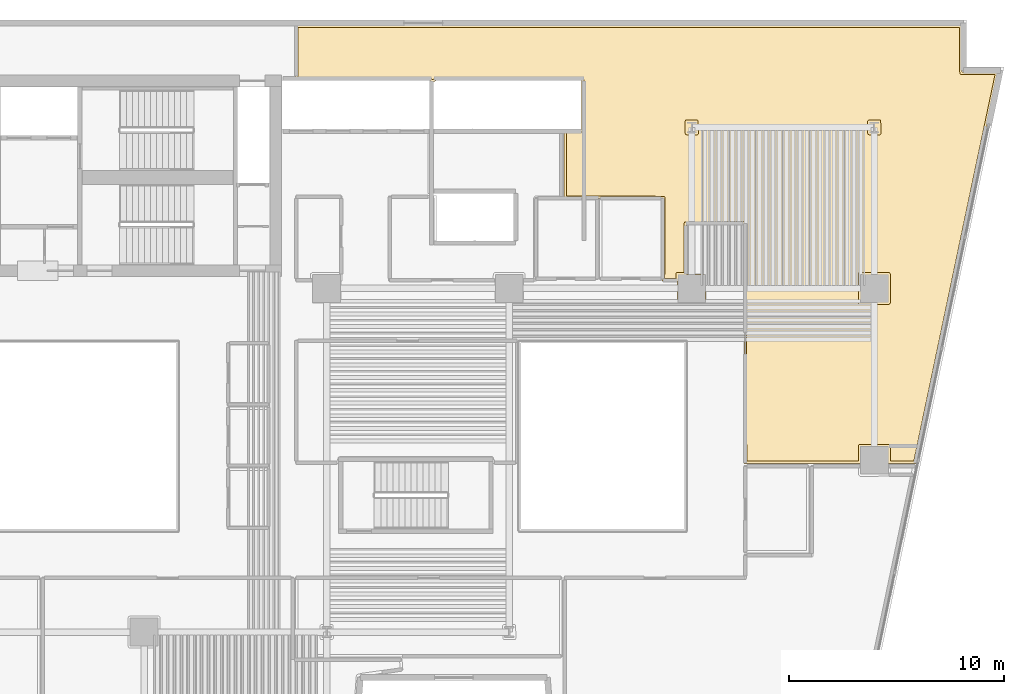
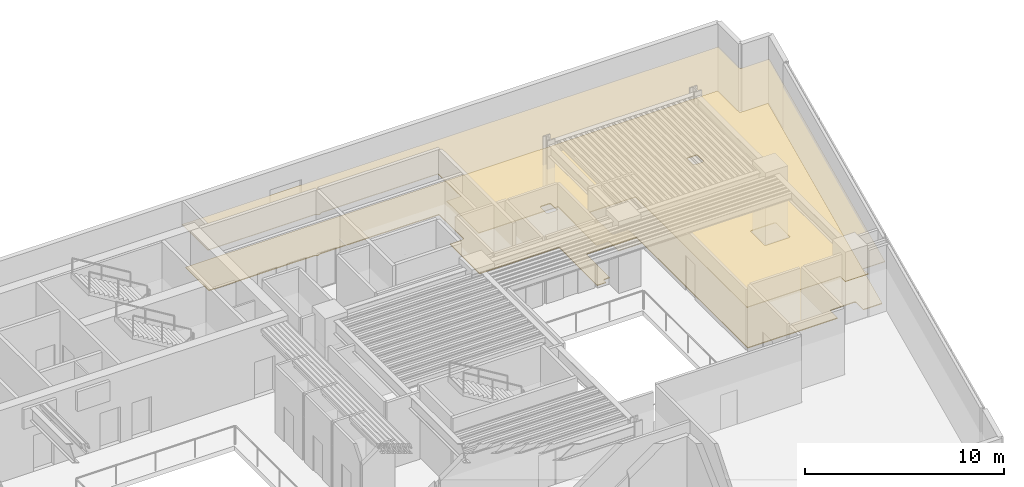
# One storey, part 12 of 12: 2 coverings.
"""IFC4 building model written with IfcOpenShell, lengths in metres."""

from ifc_helpers import new_model, si_unit, direction, frame, origin, place, context, subcontext, project, spatial, polyline, outline, extrude, material, layer, layer_set, type_object, element, save


model = new_model("IFC4")

# Units and contexts
model_context = context("Model", 3, precision=1e-05, world=origin(), true_north=direction((0.0, 1.0)))
body_context = subcontext(model_context, "Body", "Model", "MODEL_VIEW")
ifc_project = project(units=[si_unit("LENGTHUNIT", "METRE"), si_unit("AREAUNIT", "SQUARE_METRE"), si_unit("VOLUMEUNIT", "CUBIC_METRE"), si_unit("PLANEANGLEUNIT", "RADIAN"), si_unit("MASSUNIT", "GRAM", prefix="KILO")], contexts=[model_context])

# Site, building, storey
site_placement = place(None, origin())
site = spatial("IfcSite", under=ifc_project, at=site_placement, CompositionType="ELEMENT")
building_placement = place(site_placement, origin())
building = spatial("IfcBuilding", under=site, at=building_placement, Name="Caeloran Harvest Quay", CompositionType="ELEMENT")
storey_placement = place(building_placement, frame((0.0, 0.0, 97.39990234375)))
storey = spatial("IfcBuildingStorey", under=building, at=storey_placement, Name="L22", CompositionType="ELEMENT", Elevation=97.39990234375)

# Coverings
ifc_material_1 = material(Name="Perforated Mineral-Fibre Acoustic Ceiling Tile", Category="ceiling")
ifc_layer_1 = layer(ifc_material_1, 0.0400390625, Name="Perforated Mineral-Fibre Acoustic Ceiling Tile")
ifc_layer_set_1 = layer_set([ifc_layer_1], Name="Perforated Mineral-Fibre Acoustic Ceiling Tile")
covering_type_1 = type_object("IfcCoveringType", Name="COV-CEILING-ACOUSTIC", PredefinedType="CEILING", material=ifc_layer_set_1)
covering_1_placement = place(storey_placement, frame((0.0, 0.0, 2.60009765625)))
element("IfcCovering", 1, at=covering_1_placement, inside=storey, type_object=covering_type_1, Name="Regional Food Policy Boardroom 9 Acoustic Ceiling", PredefinedType="CEILING", context=body_context, shape_type="SweptSolid", body=[
    extrude(outline(polyline([(50.330078125, 22.840087890625), (44.93994140625, 22.840087890625), (44.93994140625, 33.989990234375), (42.260009765625, 33.989990234375), (42.260009765625, 31.669921875), (43.169921875, 31.669921875), (43.169921875, 30.330078125), (41.830078125, 30.330078125), (41.830078125, 31.340087890625), (41.119873046875, 31.340087890625), (41.139892578125, 35.18994140625), (36.5400390625, 35.18994140625), (36.5400390625, 38.409912109375), (37.369873046875, 38.409912109375), (37.359130859375, 40.68310546875), (30.61083984375, 40.68994140625), (30.43994140625, 40.5888671875), (30.26904296875, 40.68994140625), (24.0400390625, 40.68994140625), (24.0400390625, 43.280029296875), (55.080078125, 43.280029296875), (55.080078125, 41.080078125), (56.766845703125, 41.080078125), (52.93505859375, 22.840087890625), (51.669921875, 22.840087890625), (51.669921875, 22.330078125), (50.330078125, 22.330078125), (50.330078125, 22.840087890625)])), origin(), (0.0, 0.0, 1.0), 0.0400390625),
])
ifc_material_2 = material(Name="Calcium-Sulphate Raised Access Floor and Terrazzo Finish", Category="flooring")
ifc_layer_2 = layer(ifc_material_2, 0.050048828125, Name="Calcium-Sulphate Raised Access Floor and Terrazzo Finish")
ifc_layer_set_2 = layer_set([ifc_layer_2], Name="Calcium-Sulphate Raised Access Floor and Terrazzo Finish")
covering_type_2 = type_object("IfcCoveringType", Name="COV-FLOOR-RAISED", PredefinedType="FLOORING", material=ifc_layer_set_2)
covering_2_placement = place(storey_placement, origin())
element("IfcCovering", 2, at=covering_2_placement, inside=storey, type_object=covering_type_2, Name="Regional Food Policy Boardroom 9 Raised Finish Flooring", PredefinedType="FLOORING", context=body_context, shape_type="SweptSolid", body=[
    extrude(outline(polyline([(24.159912109375, 40.81005859375), (24.159912109375, 43.159912109375), (54.9599609375, 43.159912109375), (54.978271484375, 40.9892578125), (55.0400390625, 40.9599609375), (56.618896484375, 40.9599609375), (52.837646484375, 22.9599609375), (51.7451171875, 22.9599609375), (51.74462890625, 23.6728515625), (51.7158203125, 23.726806640625), (51.6650390625, 23.7451171875), (50.29736328125, 23.735595703125), (50.25537109375, 23.6728515625), (50.2548828125, 22.9599609375), (45.06005859375, 22.9599609375), (45.053955078125, 34.060546875), (44.97998046875, 34.110107421875), (42.175537109375, 34.096435546875), (42.139892578125, 34.030029296875), (42.139892578125, 31.7451171875), (41.79052734375, 31.7314453125), (41.75537109375, 31.6728515625), (41.7548828125, 31.4599609375), (41.240478515625, 31.4599609375), (41.260009765625, 35.2294921875), (41.23095703125, 35.291748046875), (36.659912109375, 35.31005859375), (36.659912109375, 38.2900390625), (37.41796875, 38.290283203125), (37.486572265625, 38.34716796875), (37.47900390625, 40.7236328125), (37.443359375, 40.789794921875), (30.60009765625, 40.81005859375), (30.43994140625, 40.728271484375), (30.280029296875, 40.81005859375), (24.159912109375, 40.81005859375)]), holes=[polyline([(51.7451171875, 31.6650390625), (51.7216796875, 31.7216796875), (51.6650390625, 31.7451171875), (50.3349609375, 31.7451171875), (50.2783203125, 31.7216796875), (50.2548828125, 31.6650390625), (50.2548828125, 30.3349609375), (50.2783203125, 30.2783203125), (50.3349609375, 30.2548828125), (51.6650390625, 30.2548828125), (51.7216796875, 30.2783203125), (51.7451171875, 30.3349609375), (51.7451171875, 31.6650390625)]), polyline([(51.3134765625, 38.22802734375), (51.29541015625, 38.82275390625), (51.2412109375, 38.8515625), (50.7666015625, 38.85205078125), (50.7099609375, 38.82861328125), (50.6865234375, 38.77197265625), (50.6865234375, 38.22802734375), (50.7099609375, 38.17138671875), (50.7666015625, 38.14794921875), (51.2333984375, 38.14794921875), (51.2900390625, 38.17138671875), (51.3134765625, 38.22802734375)]), polyline([(42.8134765625, 38.22802734375), (42.79541015625, 38.82275390625), (42.7412109375, 38.8515625), (42.2666015625, 38.85205078125), (42.2099609375, 38.82861328125), (42.1865234375, 38.77197265625), (42.1865234375, 38.22802734375), (42.2099609375, 38.17138671875), (42.2666015625, 38.14794921875), (42.7333984375, 38.14794921875), (42.7900390625, 38.17138671875), (42.8134765625, 38.22802734375)])]), origin(), (0.0, 0.0, 1.0), 0.050048828125),
])

save(model, "model.ifc")
